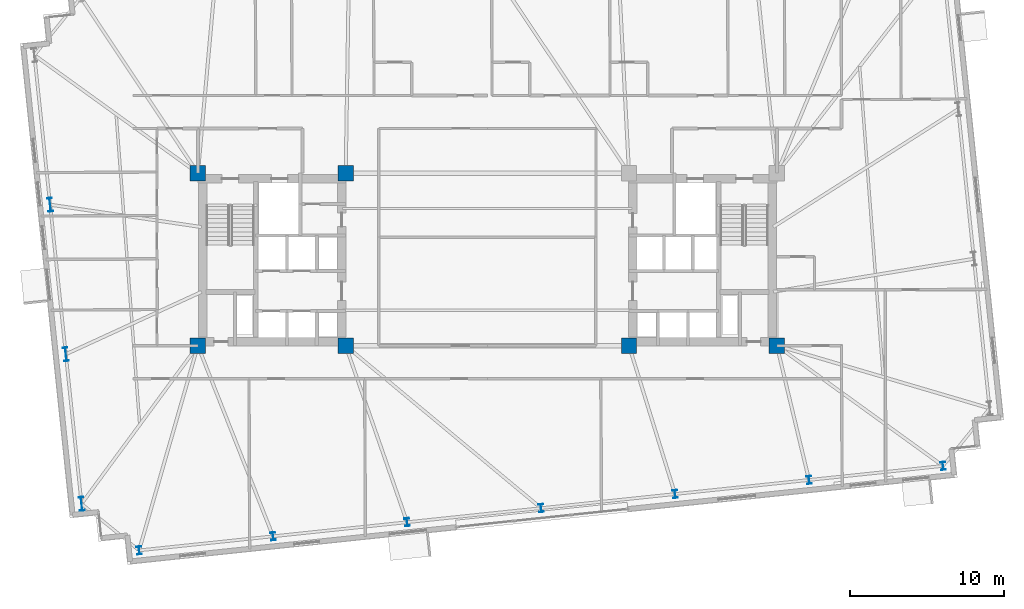
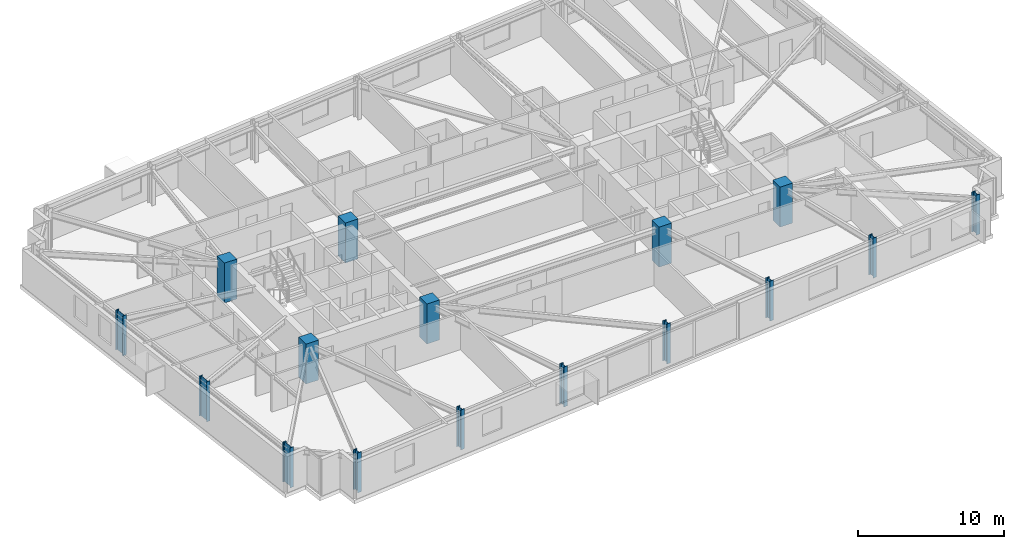
# One storey, part 1 of 23: 16 columns.
"""IFC4 building model written with IfcOpenShell, lengths in metres."""

from ifc_helpers import new_model, si_unit, direction, frame, origin, origin_2d, place, context, subcontext, project, spatial, rectangle, i_section, extrude, material, material_profile, profile_set, type_object, element, save


model = new_model("IFC4")

# Units and contexts
model_context = context("Model", 3, precision=1e-05, world=origin(), true_north=direction((0.0, 1.0)))
body_context = subcontext(model_context, "Body", "Model", "MODEL_VIEW")
ifc_project = project(units=[si_unit("LENGTHUNIT", "METRE"), si_unit("AREAUNIT", "SQUARE_METRE"), si_unit("VOLUMEUNIT", "CUBIC_METRE"), si_unit("PLANEANGLEUNIT", "RADIAN"), si_unit("MASSUNIT", "GRAM", prefix="KILO")], contexts=[model_context])

# Site, building, storey
site_placement = place(None, origin())
site = spatial("IfcSite", under=ifc_project, at=site_placement, CompositionType="ELEMENT")
building_placement = place(site_placement, origin())
building = spatial("IfcBuilding", under=site, at=building_placement, Name="Qobustan Lattice House", CompositionType="ELEMENT")
storey_placement = place(building_placement, frame((0.0, 0.0, 102.449951171875)))
storey = spatial("IfcBuildingStorey", under=building, at=storey_placement, Name="L28", CompositionType="ELEMENT", Elevation=102.449951171875)

# Columns
ifc_material_1 = material(Name="Concrete C60/75", Category="concrete")
ifc_material_profile_1 = material_profile(ifc_material_1, rectangle(XDim=1.0, YDim=1.0, at=origin_2d()), Name="RC1000x1000")
ifc_profile_set_1 = profile_set([ifc_material_profile_1], Name="Concrete C60/75")
column_type_1 = type_object("IfcColumnType", Name="COL-RC-1000", PredefinedType="COLUMN", material=ifc_profile_set_1)
for number, where, z_axis, x_axis, name in (
    (1, (-18.800048828125, -5.60009765625, 0.0), (0.0, 0.0, 1.0), (1.0, 0.0, 0.0), "L28 core mega-column CW-SW"),
    (2, (-18.800048828125, 5.60009765625, 0.0), (0.0, 0.0, 1.0), (1.0, 0.0, 0.0), "L28 core mega-column CW-NW"),
    (3, (-9.199951171875, -5.60009765625, 0.0), (0.0, 0.0, 1.0), (1.0, 0.0, 0.0), "L28 core mega-column CW-SE"),
    (4, (-9.199951171875, 5.60009765625, 0.0), (0.0, 0.0, 1.0), (1.0, 0.0, 0.0), "L28 core mega-column CW-NE"),
    (5, (9.199951171875, -5.60009765625, 0.0), (0.0, 0.0, 1.0), (1.0, 0.0, 0.0), "L28 core mega-column CE-SW"),
    (6, (18.800048828125, -5.60009765625, 0.0), (0.0, 0.0, 1.0), (1.0, 0.0, 0.0), "L28 core mega-column CE-SE"),
):
    element("IfcColumn", number, at=place(storey_placement, frame(where, z_axis=z_axis, x_axis=x_axis)), inside=storey, type_object=column_type_1, Name=name, PredefinedType="COLUMN", context=body_context, shape_type="SweptSolid", body=[
        extrude(rectangle(XDim=1.0, YDim=1.0, at=origin_2d()), origin(), (0.0, 0.0, 1.0), 3.35009765625),
    ])
ifc_material_2 = material(Name="Steel S355", Category="steel")
ifc_material_profile_2 = material_profile(ifc_material_2, i_section(OverallWidth=0.300048828125, OverallDepth=0.89990234375, WebThickness=0.0185546875, FlangeThickness=0.034912109375, FilletRadius=0.030029296875, at=origin_2d()), Name="HEB900")
ifc_profile_set_2 = profile_set([ifc_material_profile_2], Name="Steel S355")
column_type_2 = type_object("IfcColumnType", Name="COL-ST-HEB900", PredefinedType="COLUMN", material=ifc_profile_set_2)
for number, where, z_axis, x_axis, name in (
    (7, (-28.39794921875, 3.557373046875, 0.0), (0.0, 0.0, 1.0), (0.994521895368, 0.104528463268, 0.0), "L28 B2 perimeter column W2"),
    (8, (-27.377197265625, -6.156005859375, 0.0), (0.0, 0.0, 1.0), (0.994521895368, 0.104528463268, 0.0), "L28 B2 perimeter column W3"),
    (9, (-26.356201171875, -15.868896484375, 0.0), (0.0, 0.0, 1.0), (0.994521895368, 0.104528463268, 0.0), "L28 B2 perimeter column W4"),
):
    element("IfcColumn", number, at=place(storey_placement, frame(where, z_axis=z_axis, x_axis=x_axis)), inside=storey, type_object=column_type_2, Name=name, PredefinedType="COLUMN", context=body_context, shape_type="SweptSolid", body=[
        extrude(i_section(OverallWidth=0.300048828125, OverallDepth=0.89990234375, WebThickness=0.0185546875, FlangeThickness=0.034912109375, FilletRadius=0.030029296875, at=origin_2d()), origin(), (0.0, 0.0, 1.0), 3.35009765625),
    ])
ifc_material_3 = material(Name="Steel S355", Category="steel")
ifc_material_profile_3 = material_profile(ifc_material_3, i_section(OverallWidth=0.305908203125, OverallDepth=0.52392578125, WebThickness=0.02099609375, FlangeThickness=0.0400390625, FilletRadius=0.027099609375, at=origin_2d()), Name="HEM500")
ifc_profile_set_3 = profile_set([ifc_material_profile_3], Name="Steel S355")
column_type_3 = type_object("IfcColumnType", Name="COL-ST-HEM500", PredefinedType="COLUMN", material=ifc_profile_set_3)
for number, where, z_axis, x_axis, name in (
    (10, (-22.619384765625, -18.89501953125, 0.0), (0.0, 0.0, 1.0), (0.994521895368, 0.104528463268, 0.0), "L28 B2 perimeter column S1"),
    (11, (-13.91748046875, -17.98046875, 0.0), (0.0, 0.0, 1.0), (0.994521895368, 0.104528463268, 0.0), "L28 B2 perimeter column S2"),
    (12, (-5.21533203125, -17.065673828125, 0.0), (0.0, 0.0, 1.0), (0.994521895368, 0.104528463268, 0.0), "L28 B2 perimeter column S3"),
    (13, (3.48681640625, -16.151123046875, 0.0), (0.0, 0.0, 1.0), (0.994521895368, 0.104528463268, 0.0), "L28 B2 perimeter column S4"),
    (14, (12.188720703125, -15.236572265625, 0.0), (0.0, 0.0, 1.0), (0.994521895368, 0.104528463268, 0.0), "L28 B2 perimeter column S5"),
    (15, (20.890869140625, -14.322021484375, 0.0), (0.0, 0.0, 1.0), (0.994521895368, 0.104528463268, 0.0), "L28 B2 perimeter column S6"),
    (16, (29.593017578125, -13.4072265625, 0.0), (0.0, 0.0, 1.0), (0.994521895368, 0.104528463268, 0.0), "L28 B2 perimeter column S7"),
):
    element("IfcColumn", number, at=place(storey_placement, frame(where, z_axis=z_axis, x_axis=x_axis)), inside=storey, type_object=column_type_3, Name=name, PredefinedType="COLUMN", context=body_context, shape_type="SweptSolid", body=[
        extrude(i_section(OverallWidth=0.305908203125, OverallDepth=0.52392578125, WebThickness=0.02099609375, FlangeThickness=0.0400390625, FilletRadius=0.027099609375, at=origin_2d()), origin(), (0.0, 0.0, 1.0), 3.35009765625),
    ])

save(model, "model.ifc")
